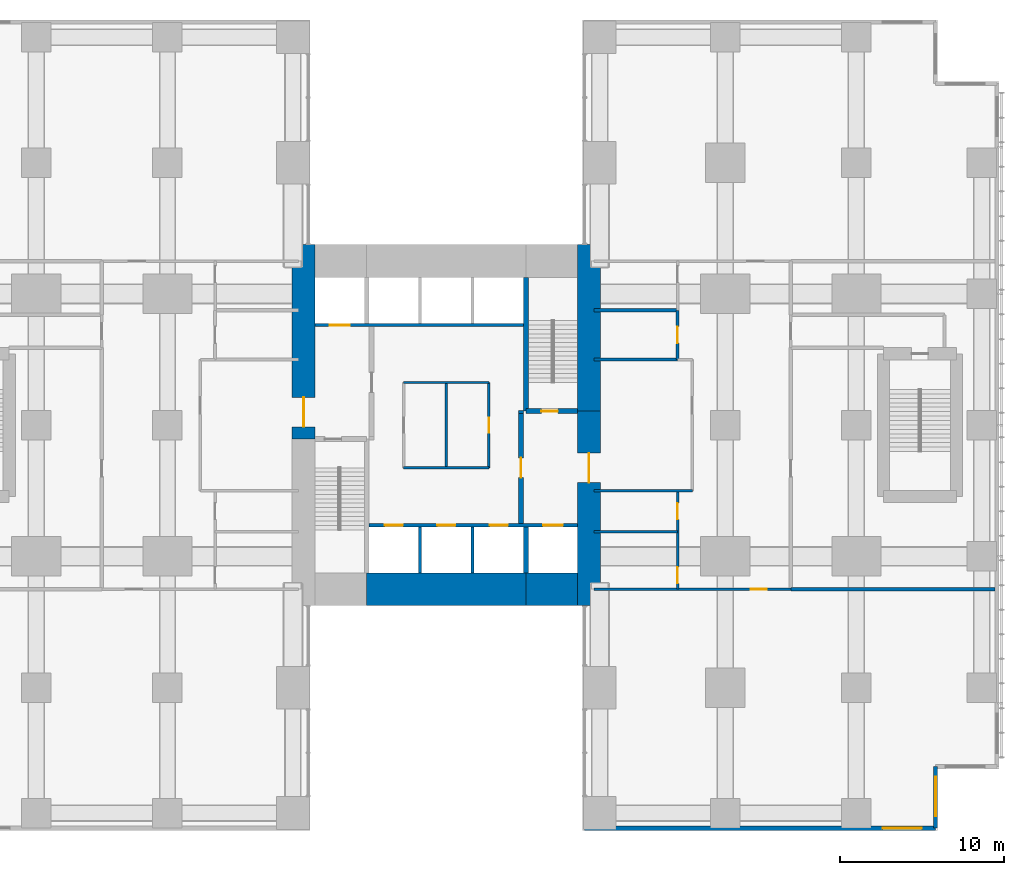
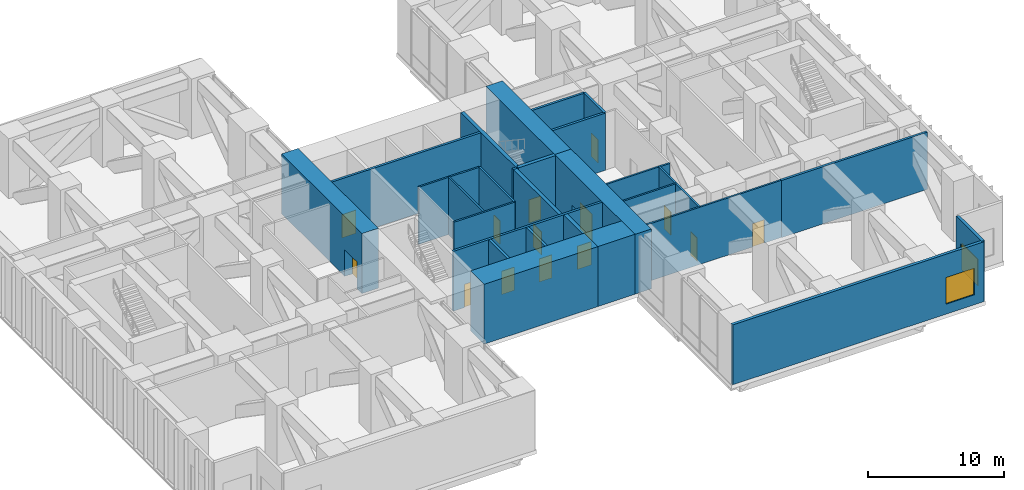
# One storey, part 12 of 15: 28 walls, 14 doors, 2 windows, 16 openings.
"""IFC4 building model written with IfcOpenShell, lengths in metres."""

from ifc_helpers import new_model, si_unit, direction, frame, frame_2d, origin, place, context, subcontext, project, spatial, rectangle, extrude, material, layer, layer_set, type_object, element, fill, save


model = new_model("IFC4")

# Units and contexts
model_context = context("Model", 3, precision=1e-05, world=origin(), true_north=direction((0.0, 1.0)))
body_context = subcontext(model_context, "Body", "Model", "MODEL_VIEW")
ifc_project = project(units=[si_unit("LENGTHUNIT", "METRE"), si_unit("AREAUNIT", "SQUARE_METRE"), si_unit("VOLUMEUNIT", "CUBIC_METRE"), si_unit("PLANEANGLEUNIT", "RADIAN"), si_unit("MASSUNIT", "GRAM", prefix="KILO")], contexts=[model_context])

# Site, building, storey
site_placement = place(None, origin())
site = spatial("IfcSite", under=ifc_project, at=site_placement, CompositionType="ELEMENT")
building_placement = place(site_placement, origin())
building = spatial("IfcBuilding", under=site, at=building_placement, Name="Cleftline Residences", CompositionType="ELEMENT")
storey_placement = place(building_placement, frame((0.0, 0.0, 171.800048828125)))
storey = spatial("IfcBuildingStorey", under=building, at=storey_placement, Name="L45", CompositionType="ELEMENT", Elevation=171.800048828125)

# Wall, opening, door
ifc_material_1 = material(Name="Concrete B70", Category="concrete")
ifc_layer_1 = layer(ifc_material_1, 1.39990234375)
ifc_layer_set_1 = layer_set([ifc_layer_1], Name="CORE WALL 1400")
wall_type_1 = type_object("IfcWallType", Name="CORE WALL 1400", PredefinedType="SHEAR", material=ifc_layer_set_1)
wall_1_placement = place(storey_placement, frame((24.300048828125, 23.14990234375, 0.0), z_axis=(0.0, 0.0, 1.0), x_axis=(0.0, 1.0, 0.0)))
wall_1 = element("IfcWall", 1, at=wall_1_placement, inside=storey, type_object=wall_type_1, Name="Core wall W", PredefinedType="SHEAR", context=body_context, shape_type="SweptSolid", body=[
    extrude(rectangle(XDim=11.85009765625, YDim=1.39990234375, at=frame_2d((5.925048828125, 0.0))), origin(), (0.0, 0.0, 1.0), 5.39990234375),
])
opening_1_placement = place(wall_1_placement, frame((0.75, 0.0, 0.0)))
opening_1 = element("IfcOpeningElement", 2, at=opening_1_placement, cuts=wall_1, Name="Opening D7", PredefinedType="OPENING", context=body_context, shape_type="SweptSolid", body=[
    extrude(rectangle(XDim=1.800048828125, YDim=2.39990234375, at=frame_2d((0.89990234375, 1.199951171875))), frame((0.0, 0.7099609375, 0.0), z_axis=(0.0, -1.0, 0.0), x_axis=(1.0, 0.0, 0.0)), (0.0, 0.0, 1.0), 1.419921875),
])
ifc_material_2 = material(Name="Steel", Category="steel")
door_type_1 = type_object("IfcDoorType", Name="WING DOOR 1800X2400", OperationType="DOUBLE_DOOR_DOUBLE_SWING", PredefinedType="DOOR", material=ifc_material_2)
door_1_placement = place(opening_1_placement, origin())
door_1 = element("IfcDoor", 3, at=door_1_placement, inside=storey, type_object=door_type_1, Name="West wing door", OperationType="DOUBLE_DOOR_DOUBLE_SWING", OverallHeight=2.39990234375, OverallWidth=1.800048828125, PredefinedType="DOOR", context=body_context, shape_type="SweptSolid", body=[
    extrude(rectangle(XDim=1.800048828125, YDim=2.39990234375, at=frame_2d((0.89990234375, 1.199951171875))), frame((0.0, 0.02490234375, 0.0), z_axis=(0.0, -1.0, 0.0), x_axis=(1.0, 0.0, 0.0)), (0.0, 0.0, 1.0), 0.050048828125),
])
fill(opening_1, door_1)

wall_2_placement = place(storey_placement, frame((41.699951171875, 13.0, 0.0), z_axis=(0.0, 0.0, 1.0), x_axis=(0.0, 1.0, 0.0)))
wall_2 = element("IfcWall", 4, at=wall_2_placement, inside=storey, type_object=wall_type_1, Name="Core wall E", PredefinedType="SHEAR", context=body_context, shape_type="SweptSolid", body=[
    extrude(rectangle(XDim=11.85009765625, YDim=1.39990234375, at=frame_2d((5.925048828125, 0.0))), origin(), (0.0, 0.0, 1.0), 5.39990234375),
])
opening_2_placement = place(wall_2_placement, frame((7.5, 0.0, 0.0)))
opening_2 = element("IfcOpeningElement", 5, at=opening_2_placement, cuts=wall_2, Name="Opening D7", PredefinedType="OPENING", context=body_context, shape_type="SweptSolid", body=[
    extrude(rectangle(XDim=1.800048828125, YDim=2.39990234375, at=frame_2d((0.89990234375, 1.199951171875))), frame((0.0, 0.7099609375, 0.0), z_axis=(0.0, -1.0, 0.0), x_axis=(1.0, 0.0, 0.0)), (0.0, 0.0, 1.0), 1.419921875),
])
door_2_placement = place(opening_2_placement, origin())
door_2 = element("IfcDoor", 6, at=door_2_placement, inside=storey, type_object=door_type_1, Name="East wing door", OperationType="DOUBLE_DOOR_DOUBLE_SWING", OverallHeight=2.39990234375, OverallWidth=1.800048828125, PredefinedType="DOOR", context=body_context, shape_type="SweptSolid", body=[
    extrude(rectangle(XDim=1.800048828125, YDim=2.39990234375, at=frame_2d((0.89990234375, 1.199951171875))), frame((0.0, 0.02490234375, 0.0), z_axis=(0.0, -1.0, 0.0), x_axis=(1.0, 0.0, 0.0)), (0.0, 0.0, 1.0), 0.050048828125),
])
fill(opening_2, door_2)

# Walls
wall_3_placement = place(storey_placement, frame((41.699951171875, 24.85009765625, 0.0), z_axis=(0.0, 0.0, 1.0), x_axis=(0.0, 1.0, 0.0)))
element("IfcWall", 7, at=wall_3_placement, inside=storey, type_object=wall_type_1, Name="Core wall E1", PredefinedType="SHEAR", context=body_context, shape_type="SweptSolid", body=[
    extrude(rectangle(XDim=10.14990234375, YDim=1.39990234375, at=frame_2d((5.074951171875, 0.0))), origin(), (0.0, 0.0, 1.0), 5.39990234375),
])
ifc_material_3 = material(Name="Concrete B70", Category="concrete")
ifc_layer_2 = layer(ifc_material_3, 2.0)
ifc_layer_set_2 = layer_set([ifc_layer_2], Name="CORE WALL 2000")
wall_type_2 = type_object("IfcWallType", Name="CORE WALL 2000", PredefinedType="SHEAR", material=ifc_layer_set_2)
wall_4_placement = place(storey_placement, frame((28.14990234375, 14.0, 0.0), z_axis=(0.0, 0.0, 1.0), x_axis=(1.0, 0.0, 0.0)))
element("IfcWall", 8, at=wall_4_placement, inside=storey, type_object=wall_type_2, Name="Core wall S2", PredefinedType="SHEAR", context=body_context, shape_type="SweptSolid", body=[
    extrude(rectangle(XDim=9.7001953125, YDim=2.0, at=frame_2d((4.85009765625, 0.0))), origin(), (0.0, 0.0, 1.0), 5.39990234375),
])
wall_5_placement = place(storey_placement, frame((37.85009765625, 14.0, 0.0), z_axis=(0.0, 0.0, 1.0), x_axis=(1.0, 0.0, 0.0)))
element("IfcWall", 9, at=wall_5_placement, inside=storey, type_object=wall_type_2, Name="Core wall S3", PredefinedType="SHEAR", context=body_context, shape_type="SweptSolid", body=[
    extrude(rectangle(XDim=3.14990234375, YDim=2.0, at=frame_2d((1.574951171875, 0.0))), origin(), (0.0, 0.0, 1.0), 5.39990234375),
])
ifc_material_4 = material(Name="Concrete B70", Category="concrete")
ifc_layer_3 = layer(ifc_material_4, 0.300048828125)
ifc_layer_set_3 = layer_set([ifc_layer_3], Name="CORE WALL 300")
wall_type_3 = type_object("IfcWallType", Name="CORE WALL 300", PredefinedType="SHEAR", material=ifc_layer_set_3)
wall_6_placement = place(storey_placement, frame((37.85009765625, 24.85009765625, 0.0), z_axis=(0.0, 0.0, 1.0), x_axis=(0.0, 1.0, 0.0)))
element("IfcWall", 10, at=wall_6_placement, inside=storey, type_object=wall_type_3, Name="Core wall SB-W", PredefinedType="SHEAR", context=body_context, shape_type="SweptSolid", body=[
    extrude(rectangle(XDim=8.14990234375, YDim=0.300048828125, at=frame_2d((4.074951171875, 0.0))), origin(), (0.0, 0.0, 1.0), 5.39990234375),
])

# Wall, opening, door
wall_7_placement = place(storey_placement, frame((37.85009765625, 24.85009765625, 0.0), z_axis=(0.0, 0.0, 1.0), x_axis=(1.0, 0.0, 0.0)))
wall_7 = element("IfcWall", 11, at=wall_7_placement, inside=storey, type_object=wall_type_3, Name="Core wall SB-S", PredefinedType="SHEAR", context=body_context, shape_type="SweptSolid", body=[
    extrude(rectangle(XDim=3.14990234375, YDim=0.300048828125, at=frame_2d((1.574951171875, 0.0))), origin(), (0.0, 0.0, 1.0), 5.39990234375),
])
opening_3_placement = place(wall_7_placement, frame((0.949951171875, 0.0, 0.0)))
opening_3 = element("IfcOpeningElement", 12, at=opening_3_placement, cuts=wall_7, Name="Opening D5", PredefinedType="OPENING", context=body_context, shape_type="SweptSolid", body=[
    extrude(rectangle(XDim=1.0, YDim=2.10009765625, at=frame_2d((0.5, 1.050048828125))), frame((0.0, 0.159912109375, 0.0), z_axis=(0.0, -1.0, 0.0), x_axis=(1.0, 0.0, 0.0)), (0.0, 0.0, 1.0), 0.320068359375),
])
ifc_material_5 = material(Name="Steel", Category="steel")
door_type_2 = type_object("IfcDoorType", Name="STAIR DOOR 1000X2100", OperationType="SINGLE_SWING_LEFT", PredefinedType="DOOR", material=ifc_material_5)
door_3_placement = place(opening_3_placement, origin())
door_3 = element("IfcDoor", 13, at=door_3_placement, inside=storey, type_object=door_type_2, Name="Stair B door", OperationType="SINGLE_SWING_RIGHT", OverallHeight=2.10009765625, OverallWidth=1.0, PredefinedType="DOOR", context=body_context, shape_type="SweptSolid", body=[
    extrude(rectangle(XDim=1.0, YDim=2.10009765625, at=frame_2d((0.5, 1.050048828125))), frame((0.0, 0.02490234375, 0.0), z_axis=(0.0, -1.0, 0.0), x_axis=(1.0, 0.0, 0.0)), (0.0, 0.0, 1.0), 0.050048828125),
])
fill(opening_3, door_3)

# Wall
wall_8_placement = place(storey_placement, frame((37.85009765625, 15.0, 0.0), z_axis=(0.0, 0.0, 1.0), x_axis=(0.0, 1.0, 0.0)))
element("IfcWall", 14, at=wall_8_placement, inside=storey, type_object=wall_type_3, Name="Lift shaft wall", PredefinedType="SHEAR", context=body_context, shape_type="SweptSolid", body=[
    extrude(rectangle(XDim=2.800048828125, YDim=0.300048828125, at=frame_2d((1.39990234375, 0.0))), origin(), (0.0, 0.0, 1.0), 5.39990234375),
])

# Wall, opening, window
ifc_material_6 = material(Name="Rendered reinforced concrete blockwork", Category="masonry")
ifc_layer_4 = layer(ifc_material_6, 0.25)
ifc_layer_set_4 = layer_set([ifc_layer_4], Name="EXTERNAL WALL 250")
wall_type_4 = type_object("IfcWallType", Name="EXTERNAL WALL 250", PredefinedType="SOLIDWALL", material=ifc_layer_set_4)
wall_9_placement = place(storey_placement, frame((41.425048828125, -0.574951171875, 0.0), z_axis=(0.0, 0.0, 1.0), x_axis=(1.0, 0.0, 0.0)))
wall_9 = element("IfcWall", 15, at=wall_9_placement, inside=storey, type_object=wall_type_4, Name="External wall", PredefinedType="SOLIDWALL", context=body_context, shape_type="SweptSolid", body=[
    extrude(rectangle(XDim=21.39990234375, YDim=0.25, at=frame_2d((10.699951171875, 0.0))), origin(), (0.0, 0.0, 1.0), 5.39990234375),
])
opening_4_placement = place(wall_9_placement, frame((18.175048828125, 0.0, 0.89990234375)))
opening_4 = element("IfcOpeningElement", 16, at=opening_4_placement, cuts=wall_9, Name="Opening W9", PredefinedType="OPENING", context=body_context, shape_type="SweptSolid", body=[
    extrude(rectangle(XDim=2.39990234375, YDim=2.39990234375, at=frame_2d((1.199951171875, 1.199951171875))), frame((0.0, 0.135009765625, 0.0), z_axis=(0.0, -1.0, 0.0), x_axis=(1.0, 0.0, 0.0)), (0.0, 0.0, 1.0), 0.27001953125),
])
ifc_material_7 = material(Name="Aluminium frame, clear double glazing", Category="aluminium")
window_type = type_object("IfcWindowType", Name="WINDOW 2400X2400", PartitioningType="DOUBLE_PANEL_VERTICAL", PredefinedType="WINDOW", material=ifc_material_7)
window_1_placement = place(opening_4_placement, origin())
window_1 = element("IfcWindow", 17, at=window_1_placement, inside=storey, type_object=window_type, Name="Window", OverallHeight=2.39990234375, OverallWidth=2.39990234375, PartitioningType="SINGLE_PANEL", PredefinedType="WINDOW", context=body_context, shape_type="SweptSolid", body=[
    extrude(rectangle(XDim=2.39990234375, YDim=2.39990234375, at=frame_2d((1.199951171875, 1.199951171875))), frame((0.0, 0.030029296875, 0.0), z_axis=(0.0, -1.0, 0.0), x_axis=(1.0, 0.0, 0.0)), (0.0, 0.0, 1.0), 0.06005859375),
])
fill(opening_4, window_1)

wall_10_placement = place(storey_placement, frame((62.824951171875, -0.574951171875, 0.0), z_axis=(0.0, 0.0, 1.0), x_axis=(0.0, 1.0, 0.0)))
wall_10 = element("IfcWall", 18, at=wall_10_placement, inside=storey, type_object=wall_type_4, Name="External wall", PredefinedType="SOLIDWALL", context=body_context, shape_type="SweptSolid", body=[
    extrude(rectangle(XDim=3.75, YDim=0.25, at=frame_2d((1.875, 0.0))), origin(), (0.0, 0.0, 1.0), 5.39990234375),
])
opening_5_placement = place(wall_10_placement, frame((0.737548828125, 0.0, 0.89990234375)))
opening_5 = element("IfcOpeningElement", 19, at=opening_5_placement, cuts=wall_10, Name="Opening W9", PredefinedType="OPENING", context=body_context, shape_type="SweptSolid", body=[
    extrude(rectangle(XDim=2.39990234375, YDim=2.39990234375, at=frame_2d((1.199951171875, 1.199951171875))), frame((0.0, 0.135009765625, 0.0), z_axis=(0.0, -1.0, 0.0), x_axis=(1.0, 0.0, 0.0)), (0.0, 0.0, 1.0), 0.27001953125),
])
window_2_placement = place(opening_5_placement, origin())
window_2 = element("IfcWindow", 20, at=window_2_placement, inside=storey, type_object=window_type, Name="Window", OverallHeight=2.39990234375, OverallWidth=2.39990234375, PartitioningType="SINGLE_PANEL", PredefinedType="WINDOW", context=body_context, shape_type="SweptSolid", body=[
    extrude(rectangle(XDim=2.39990234375, YDim=2.39990234375, at=frame_2d((1.199951171875, 1.199951171875))), frame((0.0, 0.030029296875, 0.0), z_axis=(0.0, -1.0, 0.0), x_axis=(1.0, 0.0, 0.0)), (0.0, 0.0, 1.0), 0.06005859375),
])
fill(opening_5, window_2)

# Walls
ifc_material_8 = material(Name="Concrete blockwork, fire rated", Category="masonry")
ifc_layer_5 = layer(ifc_material_8, 0.199951171875)
ifc_layer_set_5 = layer_set([ifc_layer_5], Name="FIRE WALL 200")
wall_type_5 = type_object("IfcWallType", Name="FIRE WALL 200", PredefinedType="PARTITIONING", material=ifc_layer_set_5)
wall_11_placement = place(storey_placement, frame((54.0, 14.0, 0.0), z_axis=(0.0, 0.0, 1.0), x_axis=(1.0, 0.0, 0.0)))
element("IfcWall", 21, at=wall_11_placement, inside=storey, type_object=wall_type_5, Name="Fire separating wall", PredefinedType="PARTITIONING", context=body_context, shape_type="SweptSolid", body=[
    extrude(rectangle(XDim=12.449951171875, YDim=0.199951171875, at=frame_2d((6.22509765625, 0.0))), origin(), (0.0, 0.0, 1.0), 5.14990234375),
])
for number, where, z_axis, x_axis, name in (
    (22, (42.0, 28.0, 0.0), (0.0, 0.0, 1.0), (1.0, 0.0, 0.0), "Fire separating wall"),
    (23, (42.0, 31.0, 0.0), (0.0, 0.0, 1.0), (1.0, 0.0, 0.0), "Fire separating wall"),
):
    element("IfcWall", number, at=place(storey_placement, frame(where, z_axis=z_axis, x_axis=x_axis)), inside=storey, type_object=wall_type_5, Name=name, PredefinedType="PARTITIONING", context=body_context, shape_type="SweptSolid", body=[
        extrude(rectangle(XDim=5.10009765625, YDim=0.199951171875, at=frame_2d((2.550048828125, 0.0))), origin(), (0.0, 0.0, 1.0), 5.14990234375),
    ])

# Wall, opening, door
wall_12_placement = place(storey_placement, frame((47.10009765625, 28.0, 0.0), z_axis=(0.0, 0.0, 1.0), x_axis=(0.0, 1.0, 0.0)))
wall_12 = element("IfcWall", 24, at=wall_12_placement, inside=storey, type_object=wall_type_5, Name="Fire separating wall", PredefinedType="PARTITIONING", context=body_context, shape_type="SweptSolid", body=[
    extrude(rectangle(XDim=3.0, YDim=0.199951171875, at=frame_2d((1.5, 0.0))), origin(), (0.0, 0.0, 1.0), 5.14990234375),
])
opening_6_placement = place(wall_12_placement, frame((1.0, 0.0, 0.0)))
opening_6 = element("IfcOpeningElement", 25, at=opening_6_placement, cuts=wall_12, Name="Opening D2F60", PredefinedType="OPENING", context=body_context, shape_type="SweptSolid", body=[
    extrude(rectangle(XDim=1.0, YDim=2.10009765625, at=frame_2d((0.5, 1.050048828125))), frame((0.0, 0.10986328125, 0.0), z_axis=(0.0, -1.0, 0.0), x_axis=(1.0, 0.0, 0.0)), (0.0, 0.0, 1.0), 0.219970703125),
])
ifc_material_9 = material(Name="Timber veneer on solid core", Category="wood")
door_type_3 = type_object("IfcDoorType", Name="DOOR 1000X2100 EI 60", OperationType="SINGLE_SWING_LEFT", PredefinedType="DOOR", material=ifc_material_9)
door_4_placement = place(opening_6_placement, origin())
door_4 = element("IfcDoor", 26, at=door_4_placement, inside=storey, type_object=door_type_3, Name="Door to water tank room", OperationType="SINGLE_SWING_LEFT", OverallHeight=2.10009765625, OverallWidth=1.0, PredefinedType="DOOR", context=body_context, shape_type="SweptSolid", body=[
    extrude(rectangle(XDim=1.0, YDim=2.10009765625, at=frame_2d((0.5, 1.050048828125))), frame((0.0, 0.02490234375, 0.0), z_axis=(0.0, -1.0, 0.0), x_axis=(1.0, 0.0, 0.0)), (0.0, 0.0, 1.0), 0.050048828125),
])
fill(opening_6, door_4)

# Wall
wall_13_placement = place(storey_placement, frame((37.39990234375, 24.800048828125, 0.0), z_axis=(0.0, 0.0, 1.0), x_axis=(1.0, 0.0, 0.0)))
element("IfcWall", 27, at=wall_13_placement, inside=storey, type_object=wall_type_5, Name="Fire separating wall", PredefinedType="PARTITIONING", context=body_context, shape_type="SweptSolid", body=[
    extrude(rectangle(XDim=0.300048828125, YDim=0.199951171875, at=frame_2d((0.14990234375, 0.0))), origin(), (0.0, 0.0, 1.0), 5.39990234375),
])

# Wall, opening, door
ifc_material_10 = material(Name="Gypsum board on steel studs", Category="steel")
ifc_layer_6 = layer(ifc_material_10, 0.14990234375)
ifc_layer_set_6 = layer_set([ifc_layer_6], Name="PARTITION 150")
wall_type_6 = type_object("IfcWallType", Name="PARTITION 150", PredefinedType="PARTITIONING", material=ifc_layer_set_6)
wall_14_placement = place(storey_placement, frame((42.0, 14.0, 0.0), z_axis=(0.0, 0.0, 1.0), x_axis=(1.0, 0.0, 0.0)))
wall_14 = element("IfcWall", 28, at=wall_14_placement, inside=storey, type_object=wall_type_6, Name="Partition", PredefinedType="PARTITIONING", context=body_context, shape_type="SweptSolid", body=[
    extrude(rectangle(XDim=12.0, YDim=0.14990234375, at=frame_2d((6.0, 0.0))), origin(), (0.0, 0.0, 1.0), 5.14990234375),
])
opening_7_placement = place(wall_14_placement, frame((9.550048828125, 0.0, 0.0)))
opening_7 = element("IfcOpeningElement", 29, at=opening_7_placement, cuts=wall_14, Name="Opening D2F60", PredefinedType="OPENING", context=body_context, shape_type="SweptSolid", body=[
    extrude(rectangle(XDim=1.0, YDim=2.10009765625, at=frame_2d((0.5, 1.050048828125))), frame((0.0, 0.0849609375, 0.0), z_axis=(0.0, -1.0, 0.0), x_axis=(1.0, 0.0, 0.0)), (0.0, 0.0, 1.0), 0.169921875),
])
door_5_placement = place(opening_7_placement, origin())
door_5 = element("IfcDoor", 30, at=door_5_placement, inside=storey, type_object=door_type_3, Name="Door to refuge area", OperationType="SINGLE_SWING_LEFT", OverallHeight=2.10009765625, OverallWidth=1.0, PredefinedType="DOOR", context=body_context, shape_type="SweptSolid", body=[
    extrude(rectangle(XDim=1.0, YDim=2.10009765625, at=frame_2d((0.5, 1.050048828125))), frame((0.0, 0.02490234375, 0.0), z_axis=(0.0, -1.0, 0.0), x_axis=(1.0, 0.0, 0.0)), (0.0, 0.0, 1.0), 0.050048828125),
])
fill(opening_7, door_5)

# Walls
wall_15_placement = place(storey_placement, frame((42.0, 17.5, 0.0), z_axis=(0.0, 0.0, 1.0), x_axis=(1.0, 0.0, 0.0)))
element("IfcWall", 31, at=wall_15_placement, inside=storey, type_object=wall_type_6, Name="Partition", PredefinedType="PARTITIONING", context=body_context, shape_type="SweptSolid", body=[
    extrude(rectangle(XDim=5.10009765625, YDim=0.14990234375, at=frame_2d((2.550048828125, 0.0))), origin(), (0.0, 0.0, 1.0), 5.14990234375),
])
wall_16_placement = place(storey_placement, frame((42.0, 20.0, 0.0), z_axis=(0.0, 0.0, 1.0), x_axis=(1.0, 0.0, 0.0)))
element("IfcWall", 32, at=wall_16_placement, inside=storey, type_object=wall_type_6, Name="Partition", PredefinedType="PARTITIONING", context=body_context, shape_type="SweptSolid", body=[
    extrude(rectangle(XDim=6.0, YDim=0.14990234375, at=frame_2d((3.0, 0.0))), origin(), (0.0, 0.0, 1.0), 5.14990234375),
])

# Wall, openings, doors
wall_17_placement = place(storey_placement, frame((47.10009765625, 14.0, 0.0), z_axis=(0.0, 0.0, 1.0), x_axis=(0.0, 1.0, 0.0)))
wall_17 = element("IfcWall", 33, at=wall_17_placement, inside=storey, type_object=wall_type_6, Name="Partition", PredefinedType="PARTITIONING", context=body_context, shape_type="SweptSolid", body=[
    extrude(rectangle(XDim=6.0, YDim=0.14990234375, at=frame_2d((3.0, 0.0))), origin(), (0.0, 0.0, 1.0), 5.14990234375),
])
opening_8_placement = place(wall_17_placement, frame((0.35009765625, 0.0, 0.0)))
opening_8 = element("IfcOpeningElement", 34, at=opening_8_placement, cuts=wall_17, Name="Opening D2F60", PredefinedType="OPENING", context=body_context, shape_type="SweptSolid", body=[
    extrude(rectangle(XDim=1.0, YDim=2.10009765625, at=frame_2d((0.5, 1.050048828125))), frame((0.0, 0.0849609375, 0.0), z_axis=(0.0, -1.0, 0.0), x_axis=(1.0, 0.0, 0.0)), (0.0, 0.0, 1.0), 0.169921875),
])
opening_9_placement = place(wall_17_placement, frame((4.25, 0.0, 0.0)))
opening_9 = element("IfcOpeningElement", 35, at=opening_9_placement, cuts=wall_17, Name="Opening D2F60", PredefinedType="OPENING", context=body_context, shape_type="SweptSolid", body=[
    extrude(rectangle(XDim=1.0, YDim=2.10009765625, at=frame_2d((0.5, 1.050048828125))), frame((0.0, 0.0849609375, 0.0), z_axis=(0.0, -1.0, 0.0), x_axis=(1.0, 0.0, 0.0)), (0.0, 0.0, 1.0), 0.169921875),
])
door_6_placement = place(opening_8_placement, origin())
door_6 = element("IfcDoor", 36, at=door_6_placement, inside=storey, type_object=door_type_3, Name="Door to electrical room", OperationType="SINGLE_SWING_RIGHT", OverallHeight=2.10009765625, OverallWidth=1.0, PredefinedType="DOOR", context=body_context, shape_type="SweptSolid", body=[
    extrude(rectangle(XDim=1.0, YDim=2.10009765625, at=frame_2d((0.5, 1.050048828125))), frame((0.0, 0.02490234375, 0.0), z_axis=(0.0, -1.0, 0.0), x_axis=(1.0, 0.0, 0.0)), (0.0, 0.0, 1.0), 0.050048828125),
])
fill(opening_8, door_6)
door_7_placement = place(opening_9_placement, origin())
door_7 = element("IfcDoor", 37, at=door_7_placement, inside=storey, type_object=door_type_3, Name="Door to fire pump room", OperationType="SINGLE_SWING_LEFT", OverallHeight=2.10009765625, OverallWidth=1.0, PredefinedType="DOOR", context=body_context, shape_type="SweptSolid", body=[
    extrude(rectangle(XDim=1.0, YDim=2.10009765625, at=frame_2d((0.5, 1.050048828125))), frame((0.0, 0.02490234375, 0.0), z_axis=(0.0, -1.0, 0.0), x_axis=(1.0, 0.0, 0.0)), (0.0, 0.0, 1.0), 0.050048828125),
])
fill(opening_9, door_7)

# Walls
ifc_material_11 = material(Name="Fire-resisting gypsum board on steel studs", Category="steel")
ifc_layer_7 = layer(ifc_material_11, 0.14990234375)
ifc_layer_set_7 = layer_set([ifc_layer_7], Name="PARTITION 150 EI 60")
wall_type_7 = type_object("IfcWallType", Name="PARTITION 150 EI 60", PredefinedType="PARTITIONING", material=ifc_layer_set_7)
for number, where, z_axis, x_axis, name in (
    (38, (30.39990234375, 21.39990234375, 0.0), (0.0, 0.0, 1.0), (1.0, 0.0, 0.0), "Core room partition"),
    (39, (30.39990234375, 26.60009765625, 0.0), (0.0, 0.0, 1.0), (1.0, 0.0, 0.0), "Core room partition"),
):
    element("IfcWall", number, at=place(storey_placement, frame(where, z_axis=z_axis, x_axis=x_axis)), inside=storey, type_object=wall_type_7, Name=name, PredefinedType="PARTITIONING", context=body_context, shape_type="SweptSolid", body=[
        extrude(rectangle(XDim=5.2001953125, YDim=0.14990234375, at=frame_2d((2.60009765625, 0.0))), origin(), (0.0, 0.0, 1.0), 5.14990234375),
    ])

# Wall, opening, door
wall_18_placement = place(storey_placement, frame((35.60009765625, 21.39990234375, 0.0), z_axis=(0.0, 0.0, 1.0), x_axis=(0.0, 1.0, 0.0)))
wall_18 = element("IfcWall", 40, at=wall_18_placement, inside=storey, type_object=wall_type_7, Name="Core room partition", PredefinedType="PARTITIONING", context=body_context, shape_type="SweptSolid", body=[
    extrude(rectangle(XDim=5.2001953125, YDim=0.14990234375, at=frame_2d((2.60009765625, 0.0))), origin(), (0.0, 0.0, 1.0), 5.14990234375),
])
opening_10_placement = place(wall_18_placement, frame((2.14990234375, 0.0, 0.0)))
opening_10 = element("IfcOpeningElement", 41, at=opening_10_placement, cuts=wall_18, Name="Opening D1F30", PredefinedType="OPENING", context=body_context, shape_type="SweptSolid", body=[
    extrude(rectangle(XDim=0.89990234375, YDim=2.10009765625, at=frame_2d((0.449951171875, 1.050048828125))), frame((0.0, 0.0849609375, 0.0), z_axis=(0.0, -1.0, 0.0), x_axis=(1.0, 0.0, 0.0)), (0.0, 0.0, 1.0), 0.169921875),
])
ifc_material_12 = material(Name="Timber veneer on solid core", Category="wood")
door_type_4 = type_object("IfcDoorType", Name="DOOR 900X2100 EI 30", OperationType="SINGLE_SWING_LEFT", PredefinedType="DOOR", material=ifc_material_12)
door_8_placement = place(opening_10_placement, origin())
door_8 = element("IfcDoor", 42, at=door_8_placement, inside=storey, type_object=door_type_4, Name="Door to fire equipment store", OperationType="SINGLE_SWING_LEFT", OverallHeight=2.10009765625, OverallWidth=0.89990234375, PredefinedType="DOOR", context=body_context, shape_type="SweptSolid", body=[
    extrude(rectangle(XDim=0.89990234375, YDim=2.10009765625, at=frame_2d((0.449951171875, 1.050048828125))), frame((0.0, 0.02490234375, 0.0), z_axis=(0.0, -1.0, 0.0), x_axis=(1.0, 0.0, 0.0)), (0.0, 0.0, 1.0), 0.050048828125),
])
fill(opening_10, door_8)

# Wall
wall_19_placement = place(storey_placement, frame((33.0, 21.39990234375, 0.0), z_axis=(0.0, 0.0, 1.0), x_axis=(0.0, 1.0, 0.0)))
element("IfcWall", 43, at=wall_19_placement, inside=storey, type_object=wall_type_7, Name="Core room partition", PredefinedType="PARTITIONING", context=body_context, shape_type="SweptSolid", body=[
    extrude(rectangle(XDim=5.2001953125, YDim=0.14990234375, at=frame_2d((2.60009765625, 0.0))), origin(), (0.0, 0.0, 1.0), 5.14990234375),
])

# Wall, openings, doors
ifc_material_13 = material(Name="Concrete blockwork, fire rated", Category="masonry")
ifc_layer_8 = layer(ifc_material_13, 0.199951171875)
ifc_layer_set_8 = layer_set([ifc_layer_8], Name="SHAFT WALL 200")
wall_type_8 = type_object("IfcWallType", Name="SHAFT WALL 200", PredefinedType="PARTITIONING", material=ifc_layer_set_8)
wall_20_placement = place(storey_placement, frame((28.300048828125, 17.89990234375, 0.0), z_axis=(0.0, 0.0, 1.0), x_axis=(1.0, 0.0, 0.0)))
wall_20 = element("IfcWall", 44, at=wall_20_placement, inside=storey, type_object=wall_type_8, Name="Lift shaft wall", PredefinedType="PARTITIONING", context=body_context, shape_type="SweptSolid", body=[
    extrude(rectangle(XDim=12.699951171875, YDim=0.199951171875, at=frame_2d((6.35009765625, 0.0))), origin(), (0.0, 0.0, 1.0), 5.39990234375),
])
opening_11_placement = place(wall_20_placement, frame((0.949951171875, 0.0, 0.0)))
opening_11 = element("IfcOpeningElement", 45, at=opening_11_placement, cuts=wall_20, Name="Opening LD1", PredefinedType="OPENING", context=body_context, shape_type="SweptSolid", body=[
    extrude(rectangle(XDim=1.10009765625, YDim=2.10009765625, at=frame_2d((0.550048828125, 1.050048828125))), frame((0.0, 0.10986328125, 0.0), z_axis=(0.0, -1.0, 0.0), x_axis=(1.0, 0.0, 0.0)), (0.0, 0.0, 1.0), 0.219970703125),
])
opening_12_placement = place(wall_20_placement, frame((4.14990234375, 0.0, 0.0)))
opening_12 = element("IfcOpeningElement", 46, at=opening_12_placement, cuts=wall_20, Name="Opening LD1", PredefinedType="OPENING", context=body_context, shape_type="SweptSolid", body=[
    extrude(rectangle(XDim=1.10009765625, YDim=2.10009765625, at=frame_2d((0.550048828125, 1.050048828125))), frame((0.0, 0.10986328125, 0.0), z_axis=(0.0, -1.0, 0.0), x_axis=(1.0, 0.0, 0.0)), (0.0, 0.0, 1.0), 0.219970703125),
])
opening_13_placement = place(wall_20_placement, frame((7.35009765625, 0.0, 0.0)))
opening_13 = element("IfcOpeningElement", 47, at=opening_13_placement, cuts=wall_20, Name="Opening LD1", PredefinedType="OPENING", context=body_context, shape_type="SweptSolid", body=[
    extrude(rectangle(XDim=1.10009765625, YDim=2.10009765625, at=frame_2d((0.550048828125, 1.050048828125))), frame((0.0, 0.10986328125, 0.0), z_axis=(0.0, -1.0, 0.0), x_axis=(1.0, 0.0, 0.0)), (0.0, 0.0, 1.0), 0.219970703125),
])
opening_14_placement = place(wall_20_placement, frame((10.60009765625, 0.0, 0.0)))
opening_14 = element("IfcOpeningElement", 48, at=opening_14_placement, cuts=wall_20, Name="Opening LD2", PredefinedType="OPENING", context=body_context, shape_type="SweptSolid", body=[
    extrude(rectangle(XDim=1.199951171875, YDim=2.10009765625, at=frame_2d((0.60009765625, 1.050048828125))), frame((0.0, 0.10986328125, 0.0), z_axis=(0.0, -1.0, 0.0), x_axis=(1.0, 0.0, 0.0)), (0.0, 0.0, 1.0), 0.219970703125),
])
ifc_material_14 = material(Name="Steel", Category="steel")
door_type_5 = type_object("IfcDoorType", Name="FIREFIGHTING LIFT LANDING DOOR 1200X2100", OperationType="SLIDING_TO_LEFT", PredefinedType="DOOR", material=ifc_material_14)
door_9_placement = place(opening_14_placement, origin())
door_9 = element("IfcDoor", 49, at=door_9_placement, inside=storey, type_object=door_type_5, Name="Lift FL2 landing door", OperationType="SLIDING_TO_LEFT", OverallHeight=2.10009765625, OverallWidth=1.199951171875, PredefinedType="DOOR", context=body_context, shape_type="SweptSolid", body=[
    extrude(rectangle(XDim=1.199951171875, YDim=2.10009765625, at=frame_2d((0.60009765625, 1.050048828125))), frame((0.0, 0.02490234375, 0.0), z_axis=(0.0, -1.0, 0.0), x_axis=(1.0, 0.0, 0.0)), (0.0, 0.0, 1.0), 0.050048828125),
])
fill(opening_14, door_9)
ifc_material_15 = material(Name="Steel", Category="steel")
door_type_6 = type_object("IfcDoorType", Name="LIFT LANDING DOOR 1100X2100", OperationType="SLIDING_TO_LEFT", PredefinedType="DOOR", material=ifc_material_15)
door_10_placement = place(opening_11_placement, origin())
door_10 = element("IfcDoor", 50, at=door_10_placement, inside=storey, type_object=door_type_6, Name="Lift P1 landing door", OperationType="SLIDING_TO_LEFT", OverallHeight=2.10009765625, OverallWidth=1.10009765625, PredefinedType="DOOR", context=body_context, shape_type="SweptSolid", body=[
    extrude(rectangle(XDim=1.10009765625, YDim=2.10009765625, at=frame_2d((0.550048828125, 1.050048828125))), frame((0.0, 0.02490234375, 0.0), z_axis=(0.0, -1.0, 0.0), x_axis=(1.0, 0.0, 0.0)), (0.0, 0.0, 1.0), 0.050048828125),
])
fill(opening_11, door_10)
door_11_placement = place(opening_12_placement, origin())
door_11 = element("IfcDoor", 51, at=door_11_placement, inside=storey, type_object=door_type_6, Name="Lift P2 landing door", OperationType="SLIDING_TO_LEFT", OverallHeight=2.10009765625, OverallWidth=1.10009765625, PredefinedType="DOOR", context=body_context, shape_type="SweptSolid", body=[
    extrude(rectangle(XDim=1.10009765625, YDim=2.10009765625, at=frame_2d((0.550048828125, 1.050048828125))), frame((0.0, 0.02490234375, 0.0), z_axis=(0.0, -1.0, 0.0), x_axis=(1.0, 0.0, 0.0)), (0.0, 0.0, 1.0), 0.050048828125),
])
fill(opening_12, door_11)
door_12_placement = place(opening_13_placement, origin())
door_12 = element("IfcDoor", 52, at=door_12_placement, inside=storey, type_object=door_type_6, Name="Lift P3 landing door", OperationType="SLIDING_TO_LEFT", OverallHeight=2.10009765625, OverallWidth=1.10009765625, PredefinedType="DOOR", context=body_context, shape_type="SweptSolid", body=[
    extrude(rectangle(XDim=1.10009765625, YDim=2.10009765625, at=frame_2d((0.550048828125, 1.050048828125))), frame((0.0, 0.02490234375, 0.0), z_axis=(0.0, -1.0, 0.0), x_axis=(1.0, 0.0, 0.0)), (0.0, 0.0, 1.0), 0.050048828125),
])
fill(opening_13, door_12)

# Wall, opening, door
wall_21_placement = place(storey_placement, frame((25.0, 30.10009765625, 0.0), z_axis=(0.0, 0.0, 1.0), x_axis=(1.0, 0.0, 0.0)))
wall_21 = element("IfcWall", 53, at=wall_21_placement, inside=storey, type_object=wall_type_8, Name="Lift shaft wall", PredefinedType="PARTITIONING", context=body_context, shape_type="SweptSolid", body=[
    extrude(rectangle(XDim=12.699951171875, YDim=0.199951171875, at=frame_2d((6.35009765625, 0.0))), origin(), (0.0, 0.0, 1.0), 5.39990234375),
])
opening_15_placement = place(wall_21_placement, frame((0.89990234375, 0.0, 0.0)))
opening_15 = element("IfcOpeningElement", 54, at=opening_15_placement, cuts=wall_21, Name="Opening LD2", PredefinedType="OPENING", context=body_context, shape_type="SweptSolid", body=[
    extrude(rectangle(XDim=1.199951171875, YDim=2.10009765625, at=frame_2d((0.60009765625, 1.050048828125))), frame((0.0, 0.10986328125, 0.0), z_axis=(0.0, -1.0, 0.0), x_axis=(1.0, 0.0, 0.0)), (0.0, 0.0, 1.0), 0.219970703125),
])
door_13_placement = place(opening_15_placement, origin())
door_13 = element("IfcDoor", 55, at=door_13_placement, inside=storey, type_object=door_type_5, Name="Lift FL1 landing door", OperationType="SLIDING_TO_LEFT", OverallHeight=2.10009765625, OverallWidth=1.199951171875, PredefinedType="DOOR", context=body_context, shape_type="SweptSolid", body=[
    extrude(rectangle(XDim=1.199951171875, YDim=2.10009765625, at=frame_2d((0.60009765625, 1.050048828125))), frame((0.0, 0.02490234375, 0.0), z_axis=(0.0, -1.0, 0.0), x_axis=(1.0, 0.0, 0.0)), (0.0, 0.0, 1.0), 0.050048828125),
])
fill(opening_15, door_13)

# Walls
for number, where, z_axis, x_axis, name in (
    (56, (31.39990234375, 15.0, 0.0), (0.0, 0.0, 1.0), (0.0, 1.0, 0.0), "Lift shaft wall"),
    (57, (34.60009765625, 15.0, 0.0), (0.0, 0.0, 1.0), (0.0, 1.0, 0.0), "Lift shaft wall"),
):
    element("IfcWall", number, at=place(storey_placement, frame(where, z_axis=z_axis, x_axis=x_axis)), inside=storey, type_object=wall_type_8, Name=name, PredefinedType="PARTITIONING", context=body_context, shape_type="SweptSolid", body=[
        extrude(rectangle(XDim=2.800048828125, YDim=0.199951171875, at=frame_2d((1.39990234375, 0.0))), origin(), (0.0, 0.0, 1.0), 5.39990234375),
    ])

# Wall, opening, door
ifc_material_16 = material(Name="Concrete blockwork, fire rated", Category="masonry")
ifc_layer_9 = layer(ifc_material_16, 0.300048828125)
ifc_layer_set_9 = layer_set([ifc_layer_9], Name="STAIR LOBBY WALL 300")
wall_type_9 = type_object("IfcWallType", Name="STAIR LOBBY WALL 300", PredefinedType="PARTITIONING", material=ifc_layer_set_9)
wall_22_placement = place(storey_placement, frame((37.550048828125, 18.0, 0.0), z_axis=(0.0, 0.0, 1.0), x_axis=(0.0, 1.0, 0.0)))
wall_22 = element("IfcWall", 58, at=wall_22_placement, inside=storey, type_object=wall_type_9, Name="Stair and lobby wall FB-W", PredefinedType="PARTITIONING", context=body_context, shape_type="SweptSolid", body=[
    extrude(rectangle(XDim=6.699951171875, YDim=0.300048828125, at=frame_2d((3.35009765625, 0.0))), origin(), (0.0, 0.0, 1.0), 5.39990234375),
])
opening_16_placement = place(wall_22_placement, frame((2.800048828125, 0.0, 0.0)))
opening_16 = element("IfcOpeningElement", 59, at=opening_16_placement, cuts=wall_22, Name="Opening D6", PredefinedType="OPENING", context=body_context, shape_type="SweptSolid", body=[
    extrude(rectangle(XDim=1.199951171875, YDim=2.10009765625, at=frame_2d((0.60009765625, 1.050048828125))), frame((0.0, 0.159912109375, 0.0), z_axis=(0.0, -1.0, 0.0), x_axis=(1.0, 0.0, 0.0)), (0.0, 0.0, 1.0), 0.320068359375),
])
ifc_material_17 = material(Name="Steel", Category="steel")
door_type_7 = type_object("IfcDoorType", Name="LOBBY DOOR 1200X2100", OperationType="SINGLE_SWING_RIGHT", PredefinedType="DOOR", material=ifc_material_17)
door_14_placement = place(opening_16_placement, origin())
door_14 = element("IfcDoor", 60, at=door_14_placement, inside=storey, type_object=door_type_7, Name="Firefighting lobby B door", OperationType="SINGLE_SWING_LEFT", OverallHeight=2.10009765625, OverallWidth=1.199951171875, PredefinedType="DOOR", context=body_context, shape_type="SweptSolid", body=[
    extrude(rectangle(XDim=1.199951171875, YDim=2.10009765625, at=frame_2d((0.60009765625, 1.050048828125))), frame((0.0, 0.02490234375, 0.0), z_axis=(0.0, -1.0, 0.0), x_axis=(1.0, 0.0, 0.0)), (0.0, 0.0, 1.0), 0.050048828125),
])
fill(opening_16, door_14)

save(model, "model.ifc")
